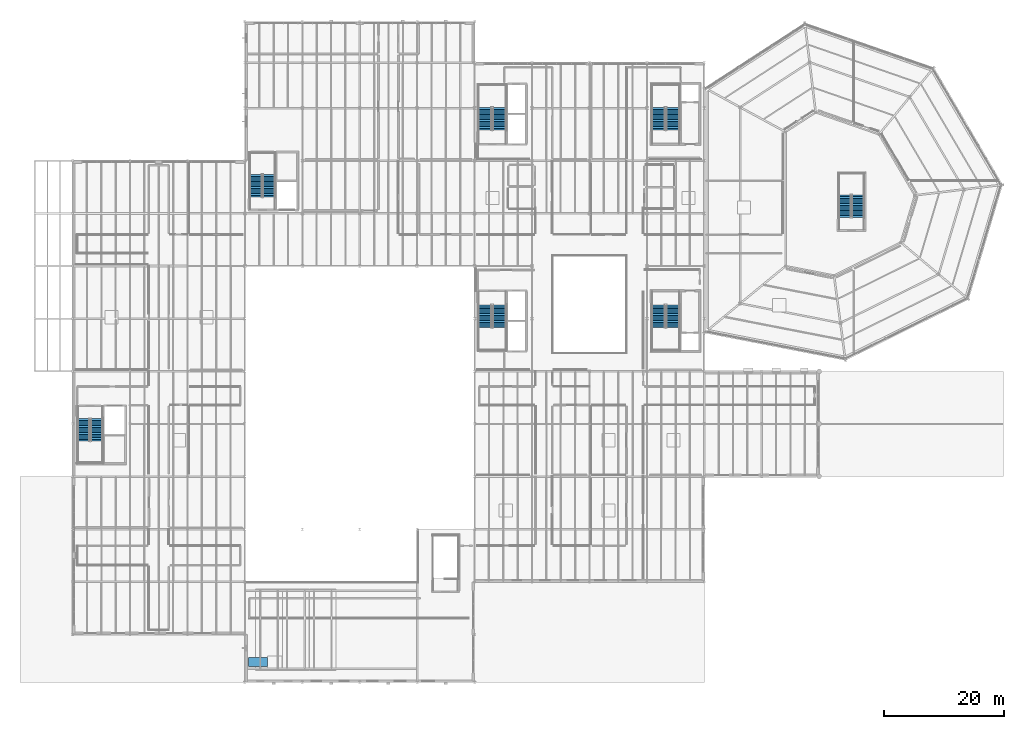
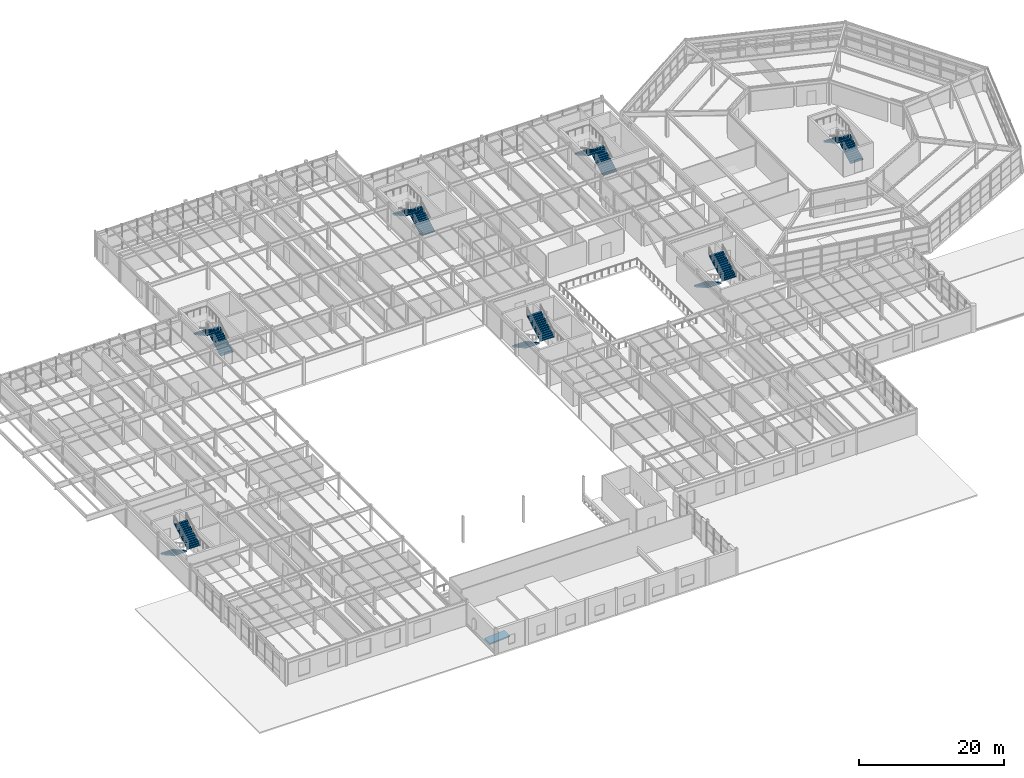
# One storey, part 64 of 77: 14 stair flights, 1 ramp flight, 8 elements without a shape of their own.
"""IFC4 building model written with IfcOpenShell, lengths in metres."""

from ifc_helpers import new_model, si_unit, direction, frame, origin, place, context, subcontext, project, spatial, polyline, outline, extrude, material, layer, layer_set, type_object, element, aggregate, save


model = new_model("IFC4")

# Units and contexts
model_context = context("Model", 3, precision=1e-05, world=origin(), true_north=direction((0.0, 1.0)))
body_context = subcontext(model_context, "Body", "Model", "MODEL_VIEW")
ifc_project = project(units=[si_unit("LENGTHUNIT", "METRE"), si_unit("AREAUNIT", "SQUARE_METRE"), si_unit("VOLUMEUNIT", "CUBIC_METRE"), si_unit("PLANEANGLEUNIT", "RADIAN"), si_unit("MASSUNIT", "GRAM", prefix="KILO")], contexts=[model_context])

# Site, building, storey
site_placement = place(None, origin())
site = spatial("IfcSite", under=ifc_project, at=site_placement, CompositionType="ELEMENT")
building_placement = place(site_placement, origin())
building = spatial("IfcBuilding", under=site, at=building_placement, Name="Sarnbrook Museum", CompositionType="ELEMENT")
storey_placement = place(building_placement, frame((0.0, 0.0, 5.60009765625)))
storey = spatial("IfcBuildingStorey", under=building, at=storey_placement, Name="L01", CompositionType="ELEMENT", Elevation=5.60009765625)

# Stair, stair flights
ifc_material = material(Name="Concrete N40 (AS 3600, f'c = 40 MPa)", Category="concrete")
stair_type_1 = type_object("IfcStairType", Name="Stair_ST03", PredefinedType="HALF_TURN_STAIR", material=ifc_material)
stair_1_placement = place(storey_placement, origin())
stair_1 = element("IfcStair", 1, at=stair_1_placement, inside=storey, type_object=stair_type_1, Name="L01 Exit Stair ST1", PredefinedType="HALF_TURN_STAIR")
stair_flight_type_1 = type_object("IfcStairFlightType", Name="StairFlight_SF03", PredefinedType="STRAIGHT", material=ifc_material)
stair_flight_1_placement = place(storey_placement, frame((111.550048828125, 67.8798828125, 0.0), z_axis=(0.0, 0.0, 1.0), x_axis=(0.0, -1.0, 0.0)))
stair_flight_1 = element("IfcStairFlight", 2, at=stair_flight_1_placement, type_object=stair_flight_type_1, Name="ST1 flight 1", NumberOfRisers=14, NumberOfTreads=13, PredefinedType="STRAIGHT", RiserHeight=0.160714286, TreadLength=0.29, context=body_context, shape_type="SweptSolid", body=[
    extrude(outline(polyline([(0.0, 0.0), (0.0, 0.16064453125), (0.2900390625, 0.16064453125), (0.2900390625, 0.321533203125), (0.580078125, 0.321533203125), (0.580078125, 0.482177734375), (0.8701171875, 0.482177734375), (0.8701171875, 0.642822265625), (1.159912109375, 0.642822265625), (1.159912109375, 0.803466796875), (1.449951171875, 0.803466796875), (1.449951171875, 0.96435546875), (1.739990234375, 0.96435546875), (1.739990234375, 1.125), (2.030029296875, 1.125), (2.030029296875, 1.28564453125), (2.320068359375, 1.28564453125), (2.320068359375, 1.446533203125), (2.610107421875, 1.446533203125), (2.610107421875, 1.607177734375), (2.89990234375, 1.607177734375), (2.89990234375, 1.767822265625), (3.18994140625, 1.767822265625), (3.18994140625, 1.928466796875), (3.47998046875, 1.928466796875), (3.47998046875, 2.08935546875), (3.77001953125, 2.08935546875), (3.77001953125, 2.25), (3.77001953125, 1.91796875), (0.309326171875, 0.0), (0.0, 0.0)])), frame((0.0, 1.10986328125, 0.0), z_axis=(0.0, -1.0, 0.0), x_axis=(1.0, 0.0, 0.0)), (0.0, 0.0, 1.0), 2.219970703125),
])
stair_flight_2_placement = place(storey_placement, frame((113.949951171875, 64.110107421875, 2.25), z_axis=(0.0, 0.0, 1.0), x_axis=(0.0, 1.0, 0.0)))
stair_flight_2 = element("IfcStairFlight", 3, at=stair_flight_2_placement, type_object=stair_flight_type_1, Name="ST1 flight 2", NumberOfRisers=14, NumberOfTreads=13, PredefinedType="STRAIGHT", RiserHeight=0.160714286, TreadLength=0.29, context=body_context, shape_type="SweptSolid", body=[
    extrude(outline(polyline([(0.0, 0.0), (0.0, 0.16064453125), (0.2900390625, 0.16064453125), (0.2900390625, 0.321533203125), (0.580078125, 0.321533203125), (0.580078125, 0.482177734375), (0.8701171875, 0.482177734375), (0.8701171875, 0.642822265625), (1.159912109375, 0.642822265625), (1.159912109375, 0.803466796875), (1.449951171875, 0.803466796875), (1.449951171875, 0.96435546875), (1.739990234375, 0.96435546875), (1.739990234375, 1.125), (2.030029296875, 1.125), (2.030029296875, 1.28564453125), (2.320068359375, 1.28564453125), (2.320068359375, 1.446533203125), (2.610107421875, 1.446533203125), (2.610107421875, 1.607177734375), (2.89990234375, 1.607177734375), (2.89990234375, 1.767822265625), (3.18994140625, 1.767822265625), (3.18994140625, 1.928466796875), (3.47998046875, 1.928466796875), (3.47998046875, 2.08935546875), (3.77001953125, 2.08935546875), (3.77001953125, 2.25), (3.77001953125, 1.91796875), (0.309326171875, 0.0), (0.0, 0.0)])), frame((0.0, 1.10986328125, 0.0), z_axis=(0.0, -1.0, 0.0), x_axis=(1.0, 0.0, 0.0)), (0.0, 0.0, 1.0), 2.219970703125),
])
aggregate(stair_1, [stair_flight_1, stair_flight_2])

stair_2_placement = place(storey_placement, origin())
stair_2 = element("IfcStair", 4, at=stair_2_placement, inside=storey, type_object=stair_type_1, Name="L01 Exit Stair ST2", PredefinedType="HALF_TURN_STAIR")
stair_flight_3_placement = place(storey_placement, frame((113.949951171875, 97.1201171875, 0.0), z_axis=(0.0, 0.0, 1.0), x_axis=(0.0, 1.0, 0.0)))
stair_flight_3 = element("IfcStairFlight", 5, at=stair_flight_3_placement, type_object=stair_flight_type_1, Name="ST2 flight 1", NumberOfRisers=14, NumberOfTreads=13, PredefinedType="STRAIGHT", RiserHeight=0.160714286, TreadLength=0.29, context=body_context, shape_type="SweptSolid", body=[
    extrude(outline(polyline([(0.0, 0.0), (0.0, 0.16064453125), (0.2900390625, 0.16064453125), (0.2900390625, 0.321533203125), (0.580078125, 0.321533203125), (0.580078125, 0.482177734375), (0.8701171875, 0.482177734375), (0.8701171875, 0.642822265625), (1.159912109375, 0.642822265625), (1.159912109375, 0.803466796875), (1.449951171875, 0.803466796875), (1.449951171875, 0.96435546875), (1.739990234375, 0.96435546875), (1.739990234375, 1.125), (2.030029296875, 1.125), (2.030029296875, 1.28564453125), (2.320068359375, 1.28564453125), (2.320068359375, 1.446533203125), (2.610107421875, 1.446533203125), (2.610107421875, 1.607177734375), (2.89990234375, 1.607177734375), (2.89990234375, 1.767822265625), (3.18994140625, 1.767822265625), (3.18994140625, 1.928466796875), (3.47998046875, 1.928466796875), (3.47998046875, 2.08935546875), (3.77001953125, 2.08935546875), (3.77001953125, 2.25), (3.77001953125, 1.91796875), (0.309326171875, 0.0), (0.0, 0.0)])), frame((0.0, 1.10986328125, 0.0), z_axis=(0.0, -1.0, 0.0), x_axis=(1.0, 0.0, 0.0)), (0.0, 0.0, 1.0), 2.219970703125),
])
stair_flight_4_placement = place(storey_placement, frame((111.550048828125, 100.889892578125, 2.25), z_axis=(0.0, 0.0, 1.0), x_axis=(0.0, -1.0, 0.0)))
stair_flight_4 = element("IfcStairFlight", 6, at=stair_flight_4_placement, type_object=stair_flight_type_1, Name="ST2 flight 2", NumberOfRisers=14, NumberOfTreads=13, PredefinedType="STRAIGHT", RiserHeight=0.160714286, TreadLength=0.29, context=body_context, shape_type="SweptSolid", body=[
    extrude(outline(polyline([(0.0, 0.0), (0.0, 0.16064453125), (0.2900390625, 0.16064453125), (0.2900390625, 0.321533203125), (0.580078125, 0.321533203125), (0.580078125, 0.482177734375), (0.8701171875, 0.482177734375), (0.8701171875, 0.642822265625), (1.159912109375, 0.642822265625), (1.159912109375, 0.803466796875), (1.449951171875, 0.803466796875), (1.449951171875, 0.96435546875), (1.739990234375, 0.96435546875), (1.739990234375, 1.125), (2.030029296875, 1.125), (2.030029296875, 1.28564453125), (2.320068359375, 1.28564453125), (2.320068359375, 1.446533203125), (2.610107421875, 1.446533203125), (2.610107421875, 1.607177734375), (2.89990234375, 1.607177734375), (2.89990234375, 1.767822265625), (3.18994140625, 1.767822265625), (3.18994140625, 1.928466796875), (3.47998046875, 1.928466796875), (3.47998046875, 2.08935546875), (3.77001953125, 2.08935546875), (3.77001953125, 2.25), (3.77001953125, 1.91796875), (0.309326171875, 0.0), (0.0, 0.0)])), frame((0.0, 1.10986328125, 0.0), z_axis=(0.0, -1.0, 0.0), x_axis=(1.0, 0.0, 0.0)), (0.0, 0.0, 1.0), 2.219970703125),
])
aggregate(stair_2, [stair_flight_3, stair_flight_4])

stair_3_placement = place(storey_placement, origin())
stair_3 = element("IfcStair", 7, at=stair_3_placement, inside=storey, type_object=stair_type_1, Name="L01 Exit Stair ST3", PredefinedType="HALF_TURN_STAIR")
stair_flight_5_placement = place(storey_placement, frame((82.550048828125, 67.8798828125, 0.0), z_axis=(0.0, 0.0, 1.0), x_axis=(0.0, -1.0, 0.0)))
stair_flight_5 = element("IfcStairFlight", 8, at=stair_flight_5_placement, type_object=stair_flight_type_1, Name="ST3 flight 1", NumberOfRisers=14, NumberOfTreads=13, PredefinedType="STRAIGHT", RiserHeight=0.160714286, TreadLength=0.29, context=body_context, shape_type="SweptSolid", body=[
    extrude(outline(polyline([(0.0, 0.0), (0.0, 0.16064453125), (0.2900390625, 0.16064453125), (0.2900390625, 0.321533203125), (0.580078125, 0.321533203125), (0.580078125, 0.482177734375), (0.8701171875, 0.482177734375), (0.8701171875, 0.642822265625), (1.159912109375, 0.642822265625), (1.159912109375, 0.803466796875), (1.449951171875, 0.803466796875), (1.449951171875, 0.96435546875), (1.739990234375, 0.96435546875), (1.739990234375, 1.125), (2.030029296875, 1.125), (2.030029296875, 1.28564453125), (2.320068359375, 1.28564453125), (2.320068359375, 1.446533203125), (2.610107421875, 1.446533203125), (2.610107421875, 1.607177734375), (2.89990234375, 1.607177734375), (2.89990234375, 1.767822265625), (3.18994140625, 1.767822265625), (3.18994140625, 1.928466796875), (3.47998046875, 1.928466796875), (3.47998046875, 2.08935546875), (3.77001953125, 2.08935546875), (3.77001953125, 2.25), (3.77001953125, 1.91796875), (0.309326171875, 0.0), (0.0, 0.0)])), frame((0.0, 1.10986328125, 0.0), z_axis=(0.0, -1.0, 0.0), x_axis=(1.0, 0.0, 0.0)), (0.0, 0.0, 1.0), 2.219970703125),
])
stair_flight_6_placement = place(storey_placement, frame((84.949951171875, 64.110107421875, 2.25), z_axis=(0.0, 0.0, 1.0), x_axis=(0.0, 1.0, 0.0)))
stair_flight_6 = element("IfcStairFlight", 9, at=stair_flight_6_placement, type_object=stair_flight_type_1, Name="ST3 flight 2", NumberOfRisers=14, NumberOfTreads=13, PredefinedType="STRAIGHT", RiserHeight=0.160714286, TreadLength=0.29, context=body_context, shape_type="SweptSolid", body=[
    extrude(outline(polyline([(0.0, 0.0), (0.0, 0.16064453125), (0.2900390625, 0.16064453125), (0.2900390625, 0.321533203125), (0.580078125, 0.321533203125), (0.580078125, 0.482177734375), (0.8701171875, 0.482177734375), (0.8701171875, 0.642822265625), (1.159912109375, 0.642822265625), (1.159912109375, 0.803466796875), (1.449951171875, 0.803466796875), (1.449951171875, 0.96435546875), (1.739990234375, 0.96435546875), (1.739990234375, 1.125), (2.030029296875, 1.125), (2.030029296875, 1.28564453125), (2.320068359375, 1.28564453125), (2.320068359375, 1.446533203125), (2.610107421875, 1.446533203125), (2.610107421875, 1.607177734375), (2.89990234375, 1.607177734375), (2.89990234375, 1.767822265625), (3.18994140625, 1.767822265625), (3.18994140625, 1.928466796875), (3.47998046875, 1.928466796875), (3.47998046875, 2.08935546875), (3.77001953125, 2.08935546875), (3.77001953125, 2.25), (3.77001953125, 1.91796875), (0.309326171875, 0.0), (0.0, 0.0)])), frame((0.0, 1.10986328125, 0.0), z_axis=(0.0, -1.0, 0.0), x_axis=(1.0, 0.0, 0.0)), (0.0, 0.0, 1.0), 2.219970703125),
])
aggregate(stair_3, [stair_flight_5, stair_flight_6])

stair_4_placement = place(storey_placement, origin())
stair_4 = element("IfcStair", 10, at=stair_4_placement, inside=storey, type_object=stair_type_1, Name="L01 Exit Stair ST4", PredefinedType="HALF_TURN_STAIR")
stair_flight_7_placement = place(storey_placement, frame((84.949951171875, 97.1201171875, 0.0), z_axis=(0.0, 0.0, 1.0), x_axis=(0.0, 1.0, 0.0)))
stair_flight_7 = element("IfcStairFlight", 11, at=stair_flight_7_placement, type_object=stair_flight_type_1, Name="ST4 flight 1", NumberOfRisers=14, NumberOfTreads=13, PredefinedType="STRAIGHT", RiserHeight=0.160714286, TreadLength=0.29, context=body_context, shape_type="SweptSolid", body=[
    extrude(outline(polyline([(0.0, 0.0), (0.0, 0.16064453125), (0.2900390625, 0.16064453125), (0.2900390625, 0.321533203125), (0.580078125, 0.321533203125), (0.580078125, 0.482177734375), (0.8701171875, 0.482177734375), (0.8701171875, 0.642822265625), (1.159912109375, 0.642822265625), (1.159912109375, 0.803466796875), (1.449951171875, 0.803466796875), (1.449951171875, 0.96435546875), (1.739990234375, 0.96435546875), (1.739990234375, 1.125), (2.030029296875, 1.125), (2.030029296875, 1.28564453125), (2.320068359375, 1.28564453125), (2.320068359375, 1.446533203125), (2.610107421875, 1.446533203125), (2.610107421875, 1.607177734375), (2.89990234375, 1.607177734375), (2.89990234375, 1.767822265625), (3.18994140625, 1.767822265625), (3.18994140625, 1.928466796875), (3.47998046875, 1.928466796875), (3.47998046875, 2.08935546875), (3.77001953125, 2.08935546875), (3.77001953125, 2.25), (3.77001953125, 1.91796875), (0.309326171875, 0.0), (0.0, 0.0)])), frame((0.0, 1.10986328125, 0.0), z_axis=(0.0, -1.0, 0.0), x_axis=(1.0, 0.0, 0.0)), (0.0, 0.0, 1.0), 2.219970703125),
])
stair_flight_8_placement = place(storey_placement, frame((82.550048828125, 100.889892578125, 2.25), z_axis=(0.0, 0.0, 1.0), x_axis=(0.0, -1.0, 0.0)))
stair_flight_8 = element("IfcStairFlight", 12, at=stair_flight_8_placement, type_object=stair_flight_type_1, Name="ST4 flight 2", NumberOfRisers=14, NumberOfTreads=13, PredefinedType="STRAIGHT", RiserHeight=0.160714286, TreadLength=0.29, context=body_context, shape_type="SweptSolid", body=[
    extrude(outline(polyline([(0.0, 0.0), (0.0, 0.16064453125), (0.2900390625, 0.16064453125), (0.2900390625, 0.321533203125), (0.580078125, 0.321533203125), (0.580078125, 0.482177734375), (0.8701171875, 0.482177734375), (0.8701171875, 0.642822265625), (1.159912109375, 0.642822265625), (1.159912109375, 0.803466796875), (1.449951171875, 0.803466796875), (1.449951171875, 0.96435546875), (1.739990234375, 0.96435546875), (1.739990234375, 1.125), (2.030029296875, 1.125), (2.030029296875, 1.28564453125), (2.320068359375, 1.28564453125), (2.320068359375, 1.446533203125), (2.610107421875, 1.446533203125), (2.610107421875, 1.607177734375), (2.89990234375, 1.607177734375), (2.89990234375, 1.767822265625), (3.18994140625, 1.767822265625), (3.18994140625, 1.928466796875), (3.47998046875, 1.928466796875), (3.47998046875, 2.08935546875), (3.77001953125, 2.08935546875), (3.77001953125, 2.25), (3.77001953125, 1.91796875), (0.309326171875, 0.0), (0.0, 0.0)])), frame((0.0, 1.10986328125, 0.0), z_axis=(0.0, -1.0, 0.0), x_axis=(1.0, 0.0, 0.0)), (0.0, 0.0, 1.0), 2.219970703125),
])
aggregate(stair_4, [stair_flight_7, stair_flight_8])

stair_type_2 = type_object("IfcStairType", Name="Stair_ST07", PredefinedType="HALF_TURN_STAIR", material=ifc_material)
stair_5_placement = place(storey_placement, origin())
stair_5 = element("IfcStair", 13, at=stair_5_placement, inside=storey, type_object=stair_type_2, Name="L01 Exit Stair ST5", PredefinedType="HALF_TURN_STAIR")
stair_flight_type_2 = type_object("IfcStairFlightType", Name="StairFlight_SF07", PredefinedType="STRAIGHT", material=ifc_material)
stair_flight_9_placement = place(storey_placement, frame((15.449951171875, 48.8798828125, 0.0), z_axis=(0.0, 0.0, 1.0), x_axis=(0.0, -1.0, 0.0)))
stair_flight_9 = element("IfcStairFlight", 14, at=stair_flight_9_placement, type_object=stair_flight_type_2, Name="ST5 flight 1", NumberOfRisers=14, NumberOfTreads=13, PredefinedType="STRAIGHT", RiserHeight=0.160714286, TreadLength=0.29, context=body_context, shape_type="SweptSolid", body=[
    extrude(outline(polyline([(0.0, 0.0), (0.0, 0.16064453125), (0.2900390625, 0.16064453125), (0.2900390625, 0.321533203125), (0.580078125, 0.321533203125), (0.580078125, 0.482177734375), (0.8701171875, 0.482177734375), (0.8701171875, 0.642822265625), (1.159912109375, 0.642822265625), (1.159912109375, 0.803466796875), (1.449951171875, 0.803466796875), (1.449951171875, 0.96435546875), (1.739990234375, 0.96435546875), (1.739990234375, 1.125), (2.030029296875, 1.125), (2.030029296875, 1.28564453125), (2.320068359375, 1.28564453125), (2.320068359375, 1.446533203125), (2.610107421875, 1.446533203125), (2.610107421875, 1.607177734375), (2.89990234375, 1.607177734375), (2.89990234375, 1.767822265625), (3.18994140625, 1.767822265625), (3.18994140625, 1.928466796875), (3.47998046875, 1.928466796875), (3.47998046875, 2.08935546875), (3.77001953125, 2.08935546875), (3.77001953125, 2.25), (3.77001953125, 1.91796875), (0.309326171875, 0.0), (0.0, 0.0)])), frame((0.0, 1.010009765625, 0.0), z_axis=(0.0, -1.0, 0.0), x_axis=(1.0, 0.0, 0.0)), (0.0, 0.0, 1.0), 2.02001953125),
])
stair_flight_10_placement = place(storey_placement, frame((17.6298828125, 45.110107421875, 2.25), z_axis=(0.0, 0.0, 1.0), x_axis=(0.0, 1.0, 0.0)))
stair_flight_10 = element("IfcStairFlight", 15, at=stair_flight_10_placement, type_object=stair_flight_type_2, Name="ST5 flight 2", NumberOfRisers=14, NumberOfTreads=13, PredefinedType="STRAIGHT", RiserHeight=0.160714286, TreadLength=0.29, context=body_context, shape_type="SweptSolid", body=[
    extrude(outline(polyline([(0.0, 0.0), (0.0, 0.16064453125), (0.2900390625, 0.16064453125), (0.2900390625, 0.321533203125), (0.580078125, 0.321533203125), (0.580078125, 0.482177734375), (0.8701171875, 0.482177734375), (0.8701171875, 0.642822265625), (1.159912109375, 0.642822265625), (1.159912109375, 0.803466796875), (1.449951171875, 0.803466796875), (1.449951171875, 0.96435546875), (1.739990234375, 0.96435546875), (1.739990234375, 1.125), (2.030029296875, 1.125), (2.030029296875, 1.28564453125), (2.320068359375, 1.28564453125), (2.320068359375, 1.446533203125), (2.610107421875, 1.446533203125), (2.610107421875, 1.607177734375), (2.89990234375, 1.607177734375), (2.89990234375, 1.767822265625), (3.18994140625, 1.767822265625), (3.18994140625, 1.928466796875), (3.47998046875, 1.928466796875), (3.47998046875, 2.08935546875), (3.77001953125, 2.08935546875), (3.77001953125, 2.25), (3.77001953125, 1.91796875), (0.309326171875, 0.0), (0.0, 0.0)])), frame((0.0, 1.010009765625, 0.0), z_axis=(0.0, -1.0, 0.0), x_axis=(1.0, 0.0, 0.0)), (0.0, 0.0, 1.0), 2.02001953125),
])
aggregate(stair_5, [stair_flight_9, stair_flight_10])

stair_6_placement = place(storey_placement, origin())
stair_6 = element("IfcStair", 16, at=stair_6_placement, inside=storey, type_object=stair_type_2, Name="L01 Exit Stair ST6", PredefinedType="HALF_TURN_STAIR")
stair_flight_11_placement = place(storey_placement, frame((46.429931640625, 85.919921875, 0.0), z_axis=(0.0, 0.0, 1.0), x_axis=(0.0, 1.0, 0.0)))
stair_flight_11 = element("IfcStairFlight", 17, at=stair_flight_11_placement, type_object=stair_flight_type_2, Name="ST6 flight 1", NumberOfRisers=14, NumberOfTreads=13, PredefinedType="STRAIGHT", RiserHeight=0.160714286, TreadLength=0.29, context=body_context, shape_type="SweptSolid", body=[
    extrude(outline(polyline([(0.0, 0.0), (0.0, 0.16064453125), (0.2900390625, 0.16064453125), (0.2900390625, 0.321533203125), (0.580078125, 0.321533203125), (0.580078125, 0.482177734375), (0.8701171875, 0.482177734375), (0.8701171875, 0.642822265625), (1.159912109375, 0.642822265625), (1.159912109375, 0.803466796875), (1.449951171875, 0.803466796875), (1.449951171875, 0.96435546875), (1.739990234375, 0.96435546875), (1.739990234375, 1.125), (2.030029296875, 1.125), (2.030029296875, 1.28564453125), (2.320068359375, 1.28564453125), (2.320068359375, 1.446533203125), (2.610107421875, 1.446533203125), (2.610107421875, 1.607177734375), (2.89990234375, 1.607177734375), (2.89990234375, 1.767822265625), (3.18994140625, 1.767822265625), (3.18994140625, 1.928466796875), (3.47998046875, 1.928466796875), (3.47998046875, 2.08935546875), (3.77001953125, 2.08935546875), (3.77001953125, 2.25), (3.77001953125, 1.91796875), (0.309326171875, 0.0), (0.0, 0.0)])), frame((0.0, 1.010009765625, 0.0), z_axis=(0.0, -1.0, 0.0), x_axis=(1.0, 0.0, 0.0)), (0.0, 0.0, 1.0), 2.02001953125),
])
stair_flight_12_placement = place(storey_placement, frame((44.25, 89.68994140625, 2.25), z_axis=(0.0, 0.0, 1.0), x_axis=(0.0, -1.0, 0.0)))
stair_flight_12 = element("IfcStairFlight", 18, at=stair_flight_12_placement, type_object=stair_flight_type_2, Name="ST6 flight 2", NumberOfRisers=14, NumberOfTreads=13, PredefinedType="STRAIGHT", RiserHeight=0.160714286, TreadLength=0.29, context=body_context, shape_type="SweptSolid", body=[
    extrude(outline(polyline([(0.0, 0.0), (0.0, 0.16064453125), (0.2900390625, 0.16064453125), (0.2900390625, 0.321533203125), (0.580078125, 0.321533203125), (0.580078125, 0.482177734375), (0.8701171875, 0.482177734375), (0.8701171875, 0.642822265625), (1.159912109375, 0.642822265625), (1.159912109375, 0.803466796875), (1.449951171875, 0.803466796875), (1.449951171875, 0.96435546875), (1.739990234375, 0.96435546875), (1.739990234375, 1.125), (2.030029296875, 1.125), (2.030029296875, 1.28564453125), (2.320068359375, 1.28564453125), (2.320068359375, 1.446533203125), (2.610107421875, 1.446533203125), (2.610107421875, 1.607177734375), (2.89990234375, 1.607177734375), (2.89990234375, 1.767822265625), (3.18994140625, 1.767822265625), (3.18994140625, 1.928466796875), (3.47998046875, 1.928466796875), (3.47998046875, 2.08935546875), (3.77001953125, 2.08935546875), (3.77001953125, 2.25), (3.77001953125, 1.91796875), (0.309326171875, 0.0), (0.0, 0.0)])), frame((0.0, 1.010009765625, 0.0), z_axis=(0.0, -1.0, 0.0), x_axis=(1.0, 0.0, 0.0)), (0.0, 0.0, 1.0), 2.02001953125),
])
aggregate(stair_6, [stair_flight_11, stair_flight_12])

stair_7_placement = place(storey_placement, origin())
stair_7 = element("IfcStair", 19, at=stair_7_placement, inside=storey, type_object=stair_type_2, Name="L01 Exit Stair ST7", PredefinedType="HALF_TURN_STAIR")
stair_flight_13_placement = place(storey_placement, frame((144.889892578125, 82.52001953125, 0.0), z_axis=(0.0, 0.0, 1.0), x_axis=(0.0, 1.0, 0.0)))
stair_flight_13 = element("IfcStairFlight", 20, at=stair_flight_13_placement, type_object=stair_flight_type_2, Name="ST7 flight 1", NumberOfRisers=14, NumberOfTreads=13, PredefinedType="STRAIGHT", RiserHeight=0.160714286, TreadLength=0.29, context=body_context, shape_type="SweptSolid", body=[
    extrude(outline(polyline([(0.0, 0.0), (0.0, 0.16064453125), (0.2900390625, 0.16064453125), (0.2900390625, 0.321533203125), (0.580078125, 0.321533203125), (0.580078125, 0.482177734375), (0.8701171875, 0.482177734375), (0.8701171875, 0.642822265625), (1.159912109375, 0.642822265625), (1.159912109375, 0.803466796875), (1.449951171875, 0.803466796875), (1.449951171875, 0.96435546875), (1.739990234375, 0.96435546875), (1.739990234375, 1.125), (2.030029296875, 1.125), (2.030029296875, 1.28564453125), (2.320068359375, 1.28564453125), (2.320068359375, 1.446533203125), (2.610107421875, 1.446533203125), (2.610107421875, 1.607177734375), (2.89990234375, 1.607177734375), (2.89990234375, 1.767822265625), (3.18994140625, 1.767822265625), (3.18994140625, 1.928466796875), (3.47998046875, 1.928466796875), (3.47998046875, 2.08935546875), (3.77001953125, 2.08935546875), (3.77001953125, 2.25), (3.77001953125, 1.91796875), (0.309326171875, 0.0), (0.0, 0.0)])), frame((0.0, 1.010009765625, 0.0), z_axis=(0.0, -1.0, 0.0), x_axis=(1.0, 0.0, 0.0)), (0.0, 0.0, 1.0), 2.02001953125),
])
stair_flight_14_placement = place(storey_placement, frame((142.7099609375, 86.2900390625, 2.25), z_axis=(0.0, 0.0, 1.0), x_axis=(0.0, -1.0, 0.0)))
stair_flight_14 = element("IfcStairFlight", 21, at=stair_flight_14_placement, type_object=stair_flight_type_2, Name="ST7 flight 2", NumberOfRisers=14, NumberOfTreads=13, PredefinedType="STRAIGHT", RiserHeight=0.160714286, TreadLength=0.29, context=body_context, shape_type="SweptSolid", body=[
    extrude(outline(polyline([(0.0, 0.0), (0.0, 0.16064453125), (0.2900390625, 0.16064453125), (0.2900390625, 0.321533203125), (0.580078125, 0.321533203125), (0.580078125, 0.482177734375), (0.8701171875, 0.482177734375), (0.8701171875, 0.642822265625), (1.159912109375, 0.642822265625), (1.159912109375, 0.803466796875), (1.449951171875, 0.803466796875), (1.449951171875, 0.96435546875), (1.739990234375, 0.96435546875), (1.739990234375, 1.125), (2.030029296875, 1.125), (2.030029296875, 1.28564453125), (2.320068359375, 1.28564453125), (2.320068359375, 1.446533203125), (2.610107421875, 1.446533203125), (2.610107421875, 1.607177734375), (2.89990234375, 1.607177734375), (2.89990234375, 1.767822265625), (3.18994140625, 1.767822265625), (3.18994140625, 1.928466796875), (3.47998046875, 1.928466796875), (3.47998046875, 2.08935546875), (3.77001953125, 2.08935546875), (3.77001953125, 2.25), (3.77001953125, 1.91796875), (0.309326171875, 0.0), (0.0, 0.0)])), frame((0.0, 1.010009765625, 0.0), z_axis=(0.0, -1.0, 0.0), x_axis=(1.0, 0.0, 0.0)), (0.0, 0.0, 1.0), 2.02001953125),
])
aggregate(stair_7, [stair_flight_13, stair_flight_14])

# Ramp, ramp flight
ramp_type = type_object("IfcRampType", Name="Ramp_Access1500", PredefinedType="STRAIGHT_RUN_RAMP", material=ifc_material)
ramp_placement = place(storey_placement, origin())
ramp = element("IfcRamp", 22, at=ramp_placement, inside=storey, type_object=ramp_type, material=ifc_material, Name="Auditorium Balcony Accessible Ramp AR-4", PredefinedType="STRAIGHT_RUN_RAMP")
ifc_layer = layer(ifc_material, 0.219970703125)
ifc_layer_set = layer_set([ifc_layer], Name="Concrete N40 (AS 3600, f'c = 40 MPa)")
ramp_flight_type = type_object("IfcRampFlightType", Name="RampFlight_Access", PredefinedType="STRAIGHT", material=ifc_layer_set)
ramp_flight_placement = place(storey_placement, frame((43.0, 8.199951171875, 0.0), z_axis=(0.0, 0.0, 1.0), x_axis=(1.0, 0.0, 0.0)))
ramp_flight = element("IfcRampFlight", 23, at=ramp_flight_placement, type_object=ramp_flight_type, material=ifc_material, Name="Auditorium Balcony Accessible Ramp AR-4 flight 1", PredefinedType="STRAIGHT", context=body_context, shape_type="SweptSolid", body=[
    extrude(outline(polyline([(0.0, 0.0), (3.199951171875, 0.219970703125), (3.199951171875, 0.0), (0.0, -0.219970703125), (0.0, 0.0)])), frame((0.0, 0.75, 0.0), z_axis=(0.0, -1.0, 0.0), x_axis=(1.0, 0.0, 0.0)), (0.0, 0.0, 1.0), 1.5),
])
aggregate(ramp, [ramp_flight])

save(model, "model.ifc")
